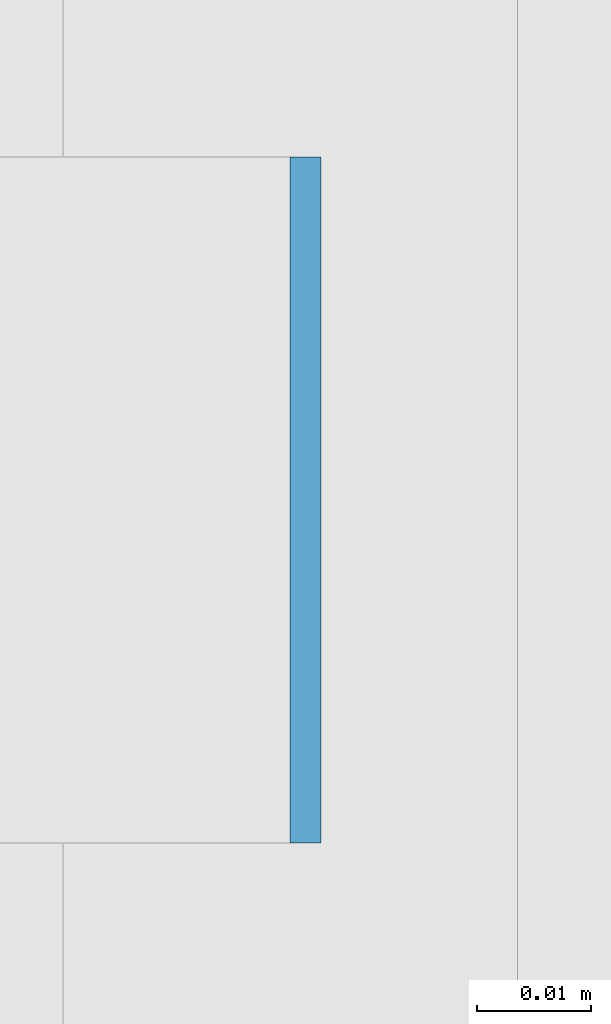
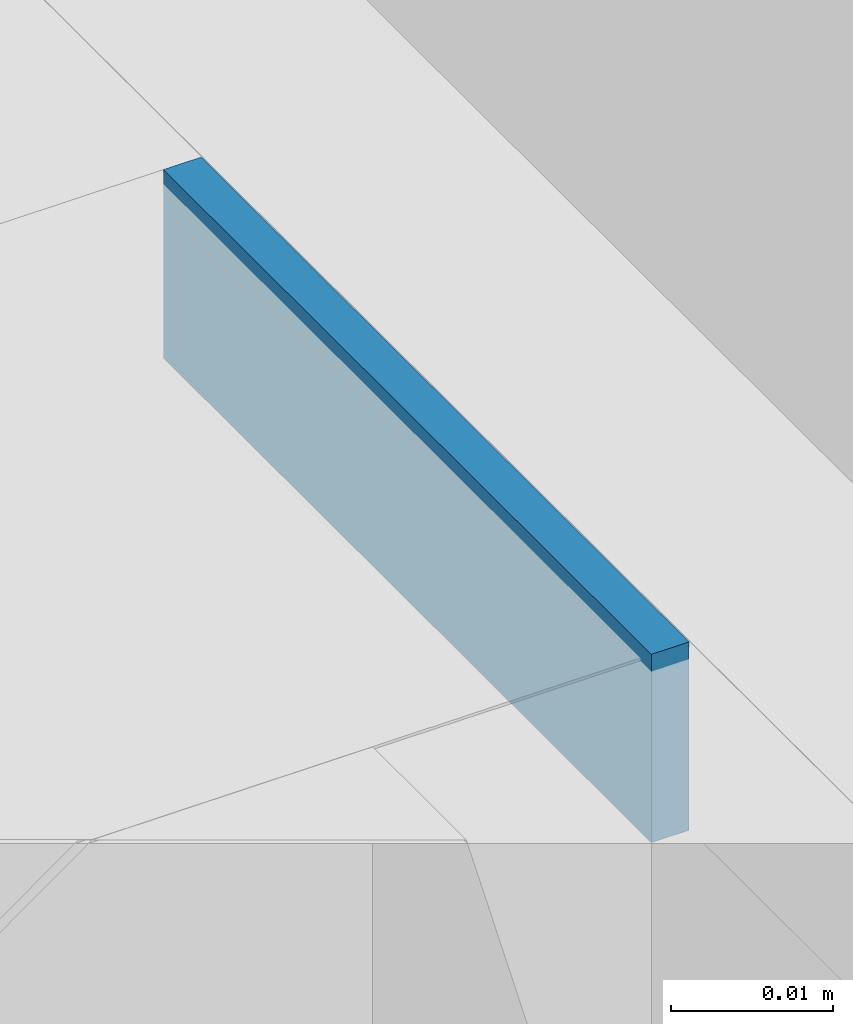
# One storey, part 311 of 646: 1 discrete accessory.
"""IFC4 building model written with IfcOpenShell, lengths in metres."""

from ifc_helpers import new_model, si_unit, direction, frame, origin, origin_2d, place, context, subcontext, project, spatial, rectangle, extrude, material, type_object, element, save


model = new_model("IFC4")

# Units and contexts
model_context = context("Model", 3, precision=1e-05, world=origin(), true_north=direction((0.0, 1.0)))
body_context = subcontext(model_context, "Body", "Model", "MODEL_VIEW")
ifc_project = project(units=[si_unit("LENGTHUNIT", "METRE"), si_unit("AREAUNIT", "SQUARE_METRE"), si_unit("VOLUMEUNIT", "CUBIC_METRE"), si_unit("PLANEANGLEUNIT", "RADIAN"), si_unit("MASSUNIT", "GRAM", prefix="KILO")], contexts=[model_context])

# Site, building, storey
site_placement = place(None, origin())
site = spatial("IfcSite", under=ifc_project, at=site_placement, CompositionType="ELEMENT")
building_placement = place(site_placement, origin())
building = spatial("IfcBuilding", under=site, at=building_placement, Name="Silverbay Arena", CompositionType="ELEMENT")
storey_placement = place(building_placement, frame((0.0, 0.0, 33.5)))
storey = spatial("IfcBuildingStorey", under=building, at=storey_placement, Name="L05", CompositionType="ELEMENT", Elevation=33.5)

# Discrete accessory
ifc_material = material(Name="Steel S355", Category="steel")
discrete_accessory_type = type_object("IfcDiscreteAccessoryType", Name="Steel bracket plate", PredefinedType="BRACKET", material=ifc_material)
discrete_accessory_placement = place(storey_placement, frame((53.871337890625, 69.428466796875, 12.98583984375), z_axis=(0.0, 0.0, 1.0), x_axis=(1.0, 0.0, 0.0)))
element("IfcDiscreteAccessory", 1, at=discrete_accessory_placement, inside=storey, type_object=discrete_accessory_type, Name="Curtain wall packing plate", PredefinedType="BRACKET", context=body_context, shape_type="SweptSolid", body=[
    extrude(rectangle(XDim=0.002685546875, YDim=0.06005859375, at=origin_2d()), origin(), (0.0, 0.0, 1.0), 0.01416015625),
])

save(model, "model.ifc")
